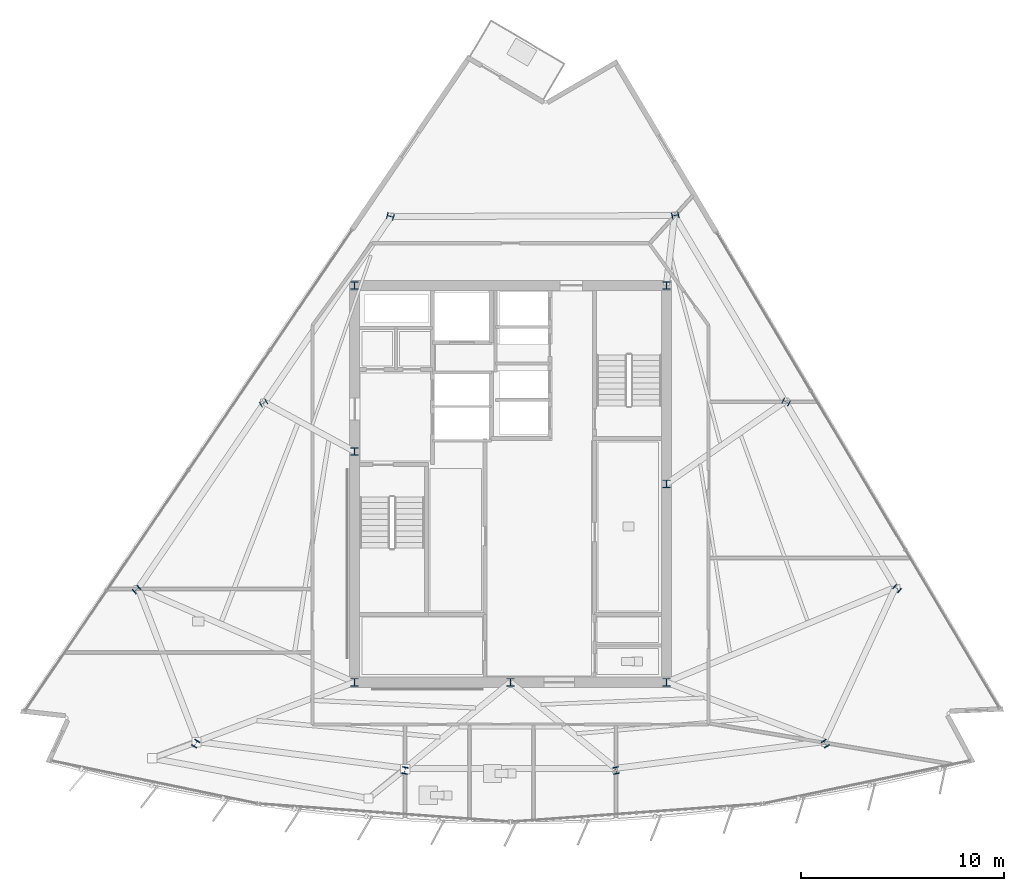
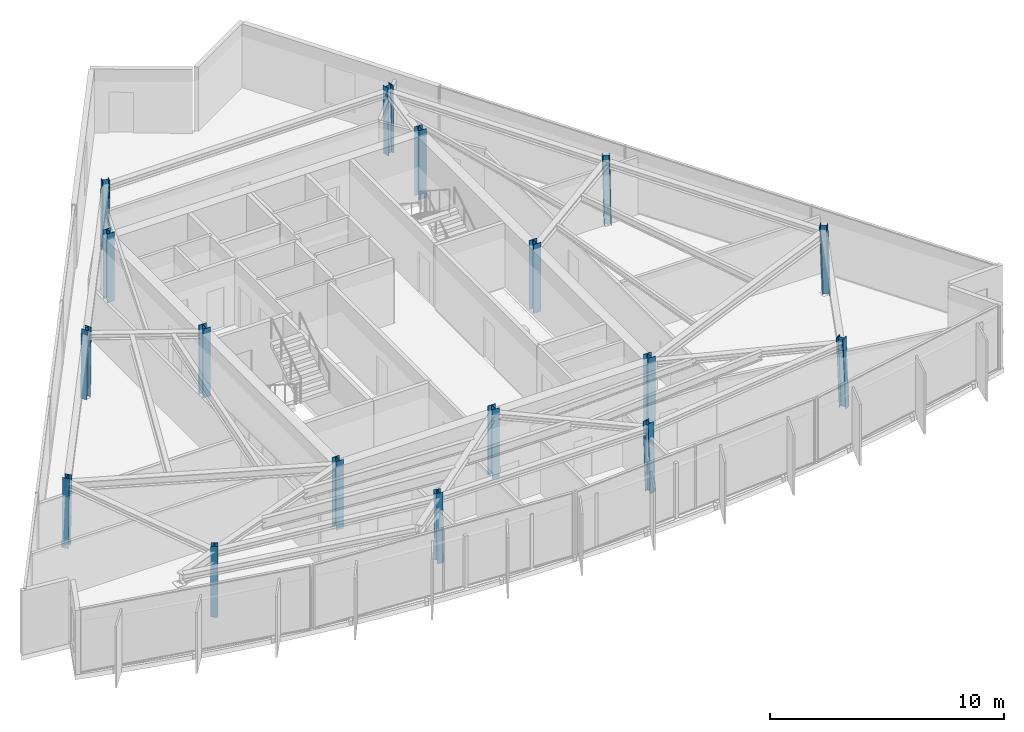
# One storey, part 1 of 12: 17 columns.
"""IFC4 building model written with IfcOpenShell, lengths in metres."""

from ifc_helpers import new_model, si_unit, direction, frame, origin, origin_2d, place, context, subcontext, project, spatial, i_section, extrude, material, material_profile, profile_set, type_object, element, save


model = new_model("IFC4")

# Units and contexts
model_context = context("Model", 3, precision=1e-05, world=origin(), true_north=direction((0.0, 1.0)))
body_context = subcontext(model_context, "Body", "Model", "MODEL_VIEW")
ifc_project = project(units=[si_unit("LENGTHUNIT", "METRE"), si_unit("AREAUNIT", "SQUARE_METRE"), si_unit("VOLUMEUNIT", "CUBIC_METRE"), si_unit("PLANEANGLEUNIT", "RADIAN"), si_unit("MASSUNIT", "GRAM", prefix="KILO")], contexts=[model_context])

# Site, building, storey
site_placement = place(None, origin())
site = spatial("IfcSite", under=ifc_project, at=site_placement, CompositionType="ELEMENT")
building_placement = place(site_placement, origin())
building = spatial("IfcBuilding", under=site, at=building_placement, Name="Savorim Split Tower", CompositionType="ELEMENT")
storey_placement = place(building_placement, frame((0.0, 0.0, 268.800048828125)))
storey = spatial("IfcBuildingStorey", under=building, at=storey_placement, Name="L71", CompositionType="ELEMENT", Elevation=268.800048828125)

# Columns
ifc_material = material(Name="Steel S355", Category="steel")
ifc_material_profile_1 = material_profile(ifc_material, i_section(OverallWidth=0.30908203125, OverallDepth=0.330078125, WebThickness=0.011474609375, FlangeThickness=0.01904296875, FilletRadius=0.027099609375, at=origin_2d()), Name="HD 320x158")
ifc_profile_set_1 = profile_set([ifc_material_profile_1], Name="Steel S355")
column_type_1 = type_object("IfcColumnType", Name="COL-HD-158", PredefinedType="COLUMN", material=ifc_profile_set_1)
column_1_placement = place(storey_placement, frame((-15.5576171875, -12.447021484375, 0.00537109375), z_axis=(0.020662881976, 0.033441243198, 0.999227065567), x_axis=(-0.850707037426, 0.525640120686, 0.0)))
element("IfcColumn", 1, at=column_1_placement, inside=storey, type_object=column_type_1, Name="L71 Tapered Perimeter Column PC-S1", PredefinedType="COLUMN", context=body_context, shape_type="SweptSolid", body=[
    extrude(i_section(OverallWidth=0.30908203125, OverallDepth=0.330078125, WebThickness=0.011474609375, FlangeThickness=0.01904296875, FilletRadius=0.027099609375, at=origin_2d()), origin(), (0.0, 0.0, 1.0), 3.591796875),
])
for number, where, z_axis, x_axis, name in (
    (2, (-5.214111328125, -13.775146484375, 0.00537109375), (0.00693381708, 0.03528089279, 0.999353381334), (-0.981229659911, 0.192842823335, 0.0), "L71 Tapered Perimeter Column PC-S2"),
    (3, (5.214111328125, -13.775146484375, 0.00537109375), (-0.00693381708, 0.03528089279, 0.999353381334), (-0.981229659911, -0.192842823335, 0.0), "L71 Tapered Perimeter Column PC-S3"),
):
    element("IfcColumn", number, at=place(storey_placement, frame(where, z_axis=z_axis, x_axis=x_axis)), inside=storey, type_object=column_type_1, Name=name, PredefinedType="COLUMN", context=body_context, shape_type="SweptSolid", body=[
        extrude(i_section(OverallWidth=0.30908203125, OverallDepth=0.330078125, WebThickness=0.011474609375, FlangeThickness=0.01904296875, FilletRadius=0.027099609375, at=origin_2d()), origin(), (0.0, 0.0, 1.0), 3.591552734375),
    ])
column_2_placement = place(storey_placement, frame((15.5576171875, -12.447021484375, 0.00537109375), z_axis=(-0.020662881976, 0.033441243198, 0.999227065567), x_axis=(-0.850707037426, -0.525640120686, 0.0)))
element("IfcColumn", 4, at=column_2_placement, inside=storey, type_object=column_type_1, Name="L71 Tapered Perimeter Column PC-S4", PredefinedType="COLUMN", context=body_context, shape_type="SweptSolid", body=[
    extrude(i_section(OverallWidth=0.30908203125, OverallDepth=0.330078125, WebThickness=0.011474609375, FlangeThickness=0.01904296875, FilletRadius=0.027099609375, at=origin_2d()), origin(), (0.0, 0.0, 1.0), 3.591796875),
])
column_3_placement = place(storey_placement, frame((19.104248046875, -4.785400390625, 0.00537109375), z_axis=(-0.026105663043, 0.021618752208, 0.999425396871), x_axis=(-0.637813971185, -0.770190455771, 0.0)))
element("IfcColumn", 5, at=column_3_placement, inside=storey, type_object=column_type_1, Name="L71 Tapered Perimeter Column PC-E1", PredefinedType="COLUMN", context=body_context, shape_type="SweptSolid", body=[
    extrude(i_section(OverallWidth=0.30908203125, OverallDepth=0.330078125, WebThickness=0.011474609375, FlangeThickness=0.01904296875, FilletRadius=0.027099609375, at=origin_2d()), origin(), (0.0, 0.0, 1.0), 3.591064453125),
])
column_4_placement = place(storey_placement, frame((13.62158203125, 4.434814453125, 0.00537109375), z_axis=(-0.018906028715, 0.009589028952, 0.999775281052), x_axis=(-0.452339157861, -0.891845999187, 0.0)))
element("IfcColumn", 6, at=column_4_placement, inside=storey, type_object=column_type_1, Name="L71 Tapered Perimeter Column PC-E2", PredefinedType="COLUMN", context=body_context, shape_type="SweptSolid", body=[
    extrude(i_section(OverallWidth=0.30908203125, OverallDepth=0.330078125, WebThickness=0.011474609375, FlangeThickness=0.01904296875, FilletRadius=0.027099609375, at=origin_2d()), origin(), (0.0, 0.0, 1.0), 3.58984375),
])
for number, where, z_axis, x_axis, name in (
    (7, (8.138916015625, 13.6552734375, 0.00537109375), (-0.011699044583, -0.00258467264, 0.999928223336), (0.215728093413, -0.976453475447, 0.0), "L71 Tapered Perimeter Column PC-E3"),
    (8, (-5.932373046875, 13.6064453125, 0.00537109375), (0.008842562123, -0.00251672922, 0.999957736691), (0.273743828055, 0.961802639112, 0.0), "L71 Tapered Perimeter Column PC-W1"),
):
    element("IfcColumn", number, at=place(storey_placement, frame(where, z_axis=z_axis, x_axis=x_axis)), inside=storey, type_object=column_type_1, Name=name, PredefinedType="COLUMN", context=body_context, shape_type="SweptSolid", body=[
        extrude(i_section(OverallWidth=0.30908203125, OverallDepth=0.330078125, WebThickness=0.011474609375, FlangeThickness=0.01904296875, FilletRadius=0.027099609375, at=origin_2d()), origin(), (0.0, 0.0, 1.0), 3.58935546875),
    ])
column_5_placement = place(storey_placement, frame((-12.20458984375, 4.385986328125, 0.00537109375), z_axis=(0.017002405671, 0.009589356798, 0.999809463067), x_axis=(-0.491253415567, 0.871016694268, 0.0)))
element("IfcColumn", 9, at=column_5_placement, inside=storey, type_object=column_type_1, Name="L71 Tapered Perimeter Column PC-W2", PredefinedType="COLUMN", context=body_context, shape_type="SweptSolid", body=[
    extrude(i_section(OverallWidth=0.30908203125, OverallDepth=0.330078125, WebThickness=0.011474609375, FlangeThickness=0.01904296875, FilletRadius=0.027099609375, at=origin_2d()), origin(), (0.0, 0.0, 1.0), 3.58984375),
])
column_6_placement = place(storey_placement, frame((-18.47705078125, -4.834228515625, 0.00537109375), z_axis=(0.025222449659, 0.021619242565, 0.999448065876), x_axis=(-0.650791373456, 0.759256602365, 0.0)))
element("IfcColumn", 10, at=column_6_placement, inside=storey, type_object=column_type_1, Name="L71 Tapered Perimeter Column PC-W3", PredefinedType="COLUMN", context=body_context, shape_type="SweptSolid", body=[
    extrude(i_section(OverallWidth=0.30908203125, OverallDepth=0.330078125, WebThickness=0.011474609375, FlangeThickness=0.01904296875, FilletRadius=0.027099609375, at=origin_2d()), origin(), (0.0, 0.0, 1.0), 3.591064453125),
])
ifc_material_profile_2 = material_profile(ifc_material, i_section(OverallWidth=0.3740234375, OverallDepth=0.3720703125, WebThickness=0.01220703125, FlangeThickness=0.02001953125, FilletRadius=0.014892578125, at=origin_2d()), Name="HD 360x196")
ifc_profile_set_2 = profile_set([ifc_material_profile_2], Name="Steel S355")
column_type_2 = type_object("IfcColumnType", Name="COL-HD-196", PredefinedType="COLUMN", material=ifc_profile_set_2)
for number, where, z_axis, x_axis, name in (
    (11, (-7.699951171875, -9.39990234375, 0.0), (0.0, 0.0, 1.0), (1.0, 0.0, 0.0), "L71 Core Structural Column TC-C1"),
    (12, (7.699951171875, -9.39990234375, 0.0), (0.0, 0.0, 1.0), (1.0, 0.0, 0.0), "L71 Core Structural Column TC-C2"),
    (13, (7.699951171875, 10.199951171875, 0.0), (0.0, 0.0, 1.0), (1.0, 0.0, 0.0), "L71 Core Structural Column TC-C3"),
    (14, (-7.699951171875, 10.199951171875, 0.0), (0.0, 0.0, 1.0), (1.0, 0.0, 0.0), "L71 Core Structural Column TC-C4"),
    (15, (0.0, -9.39990234375, 0.0), (0.0, 0.0, 1.0), (1.0, 0.0, 0.0), "L71 Core Structural Column TC-C5"),
    (16, (7.699951171875, 0.39990234375, 0.0), (0.0, 0.0, 1.0), (1.0, 0.0, 0.0), "L71 Core Structural Column TC-C6"),
    (17, (-7.699951171875, 2.0, 0.0), (0.0, 0.0, 1.0), (1.0, 0.0, 0.0), "L71 Core Structural Column TC-C7"),
):
    element("IfcColumn", number, at=place(storey_placement, frame(where, z_axis=z_axis, x_axis=x_axis)), inside=storey, type_object=column_type_2, Name=name, PredefinedType="COLUMN", context=body_context, shape_type="SweptSolid", body=[
        extrude(i_section(OverallWidth=0.3740234375, OverallDepth=0.3720703125, WebThickness=0.01220703125, FlangeThickness=0.02001953125, FilletRadius=0.014892578125, at=origin_2d()), origin(), (0.0, 0.0, 1.0), 3.599853515625),
    ])

save(model, "model.ifc")
